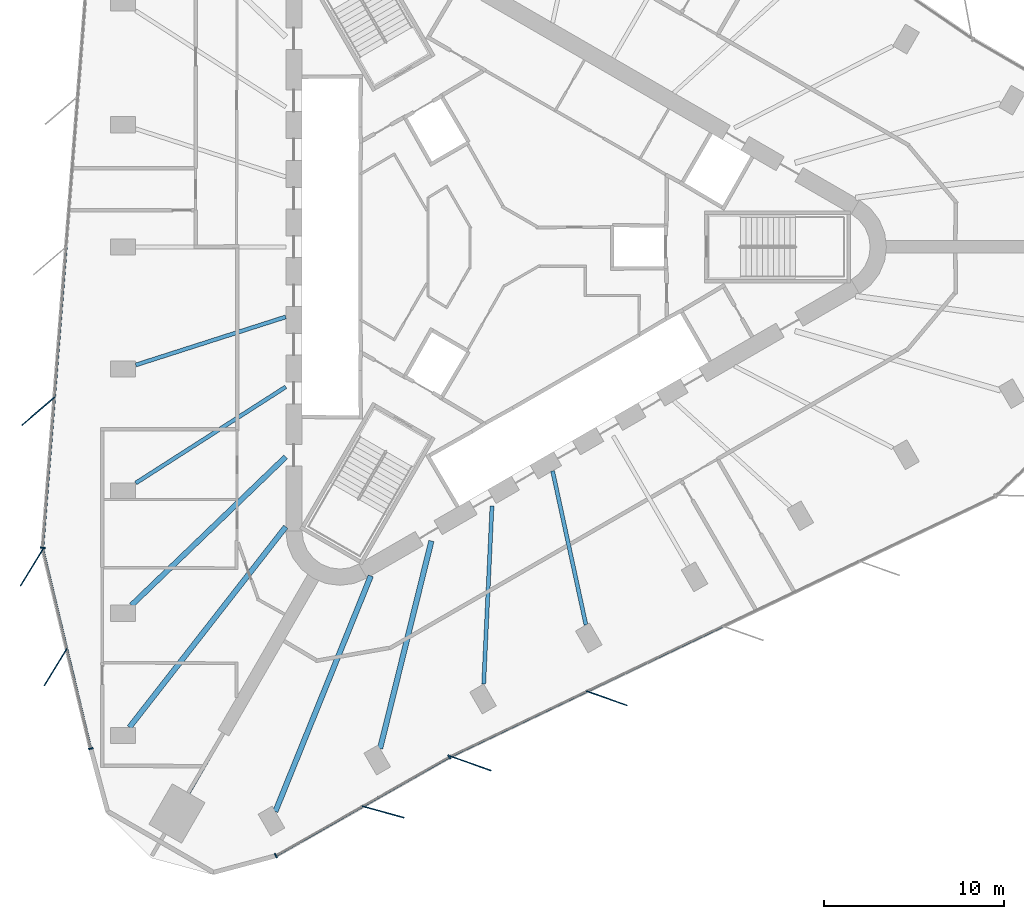
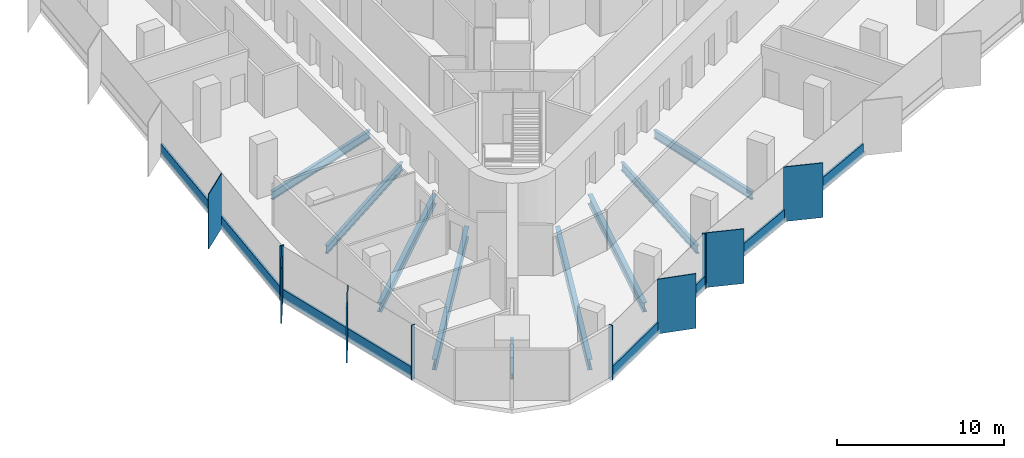
# One storey, part 2 of 13: 18 members, 9 beams, 4 elements without a shape of their own.
"""IFC4 building model written with IfcOpenShell, lengths in metres."""

from ifc_helpers import new_model, si_unit, direction, frame, origin, origin_2d, place, context, subcontext, project, spatial, rectangle, i_section, extrude, material, material_profile, profile_set, type_object, element, aggregate, save


model = new_model("IFC4")

# Units and contexts
model_context = context("Model", 3, precision=1e-05, world=origin(), true_north=direction((0.0, 1.0)))
body_context = subcontext(model_context, "Body", "Model", "MODEL_VIEW")
ifc_project = project(units=[si_unit("LENGTHUNIT", "METRE"), si_unit("AREAUNIT", "SQUARE_METRE"), si_unit("VOLUMEUNIT", "CUBIC_METRE"), si_unit("PLANEANGLEUNIT", "RADIAN"), si_unit("MASSUNIT", "GRAM", prefix="KILO")], contexts=[model_context])

# Site, building, storey
site_placement = place(None, origin())
site = spatial("IfcSite", under=ifc_project, at=site_placement, CompositionType="ELEMENT")
building_placement = place(site_placement, origin())
building = spatial("IfcBuilding", under=site, at=building_placement, Name="Tanit Gate Tower", CompositionType="ELEMENT")
storey_placement = place(building_placement, frame((0.0, 0.0, 269.199951171875)))
storey = spatial("IfcBuildingStorey", under=building, at=storey_placement, Name="L61", CompositionType="ELEMENT", Elevation=269.199951171875)

# Curtain wall, member
ifc_material_1 = material(Name="Aluminium bronze anodised and glass", Category="aluminium")
curtain_wall_type = type_object("IfcCurtainWallType", Name="Curtain wall typical mid", PredefinedType="NOTDEFINED", material=ifc_material_1)
curtain_wall_1_placement = place(storey_placement, origin())
curtain_wall_1 = element("IfcCurtainWall", 1, at=curtain_wall_1_placement, inside=storey, type_object=curtain_wall_type, Name="Curtain wall L61 W2", PredefinedType="NOTDEFINED")
ifc_material_2 = material(Name="Aluminium bronze anodised", Category="aluminium")
ifc_material_profile_1 = material_profile(ifc_material_2, rectangle(XDim=2.39990234375, YDim=0.055908203125, at=origin_2d()), Name="56x2400 bronze fin mullion")
ifc_profile_set_1 = profile_set([ifc_material_profile_1], Name="Aluminium bronze anodised")
member_type_1 = type_object("IfcMemberType", Name="FIN MULLION 56x2400 bronze", PredefinedType="MULLION", material=ifc_profile_set_1)
member_1_placement = place(storey_placement, frame((-25.82177734375, -9.10546875, -0.300048828125), z_axis=(0.0, 0.0, 1.0), x_axis=(0.75991198916, 0.650025975428, 0.0)))
member_1 = element("IfcMember", 2, at=member_1_placement, type_object=member_type_1, Name="Fin mullion L61 W2.4", PredefinedType="MULLION", context=body_context, shape_type="SweptSolid", body=[
    extrude(rectangle(XDim=2.39990234375, YDim=0.055908203125, at=origin_2d()), origin(), (0.0, 0.0, 1.0), 4.0),
])

# Curtain wall, members
curtain_wall_2_placement = place(storey_placement, origin())
curtain_wall_2 = element("IfcCurtainWall", 3, at=curtain_wall_2_placement, inside=storey, type_object=curtain_wall_type, Name="Curtain wall L61 W3", PredefinedType="NOTDEFINED")
member_2_placement = place(storey_placement, frame((-26.185791015625, -17.764892578125, -0.300048828125), z_axis=(0.0, 0.0, 1.0), x_axis=(0.522413666557, 0.852692184199, 0.0)))
member_2 = element("IfcMember", 4, at=member_2_placement, type_object=member_type_1, Name="Fin mullion L61 W3.1", PredefinedType="MULLION", context=body_context, shape_type="SweptSolid", body=[
    extrude(rectangle(XDim=2.39990234375, YDim=0.055908203125, at=origin_2d()), origin(), (0.0, 0.0, 1.0), 4.0),
])
member_3_placement = place(storey_placement, frame((-24.85791015625, -23.292724609375, -0.300048828125), z_axis=(0.0, 0.0, 1.0), x_axis=(0.522413666557, 0.852692184199, 0.0)))
member_3 = element("IfcMember", 5, at=member_3_placement, type_object=member_type_1, Name="Fin mullion L61 W3.2", PredefinedType="MULLION", context=body_context, shape_type="SweptSolid", body=[
    extrude(rectangle(XDim=2.39990234375, YDim=0.055908203125, at=origin_2d()), origin(), (0.0, 0.0, 1.0), 4.0),
])

# Curtain wall, member
curtain_wall_3_placement = place(storey_placement, origin())
curtain_wall_3 = element("IfcCurtainWall", 6, at=curtain_wall_3_placement, inside=storey, type_object=curtain_wall_type, Name="Curtain wall L61 SE1", PredefinedType="NOTDEFINED")
member_4_placement = place(storey_placement, frame((-6.7041015625, -31.32470703125, -0.300048828125), z_axis=(0.0, 0.0, 1.0), x_axis=(-0.964256591689, 0.264970234904, 0.0)))
member_4 = element("IfcMember", 7, at=member_4_placement, type_object=member_type_1, Name="Fin mullion L61 SE1.2", PredefinedType="MULLION", context=body_context, shape_type="SweptSolid", body=[
    extrude(rectangle(XDim=2.39990234375, YDim=0.055908203125, at=origin_2d()), origin(), (0.0, 0.0, 1.0), 4.0),
])

# Curtain wall, members
curtain_wall_4_placement = place(storey_placement, origin())
curtain_wall_4 = element("IfcCurtainWall", 8, at=curtain_wall_4_placement, inside=storey, type_object=curtain_wall_type, Name="Curtain wall L61 SE2", PredefinedType="NOTDEFINED")
member_5_placement = place(storey_placement, frame((-1.8505859375, -28.6328125, -0.300048828125), z_axis=(0.0, 0.0, 1.0), x_axis=(-0.94289500242, 0.333090099539, 0.0)))
member_5 = element("IfcMember", 9, at=member_5_placement, type_object=member_type_1, Name="Fin mullion L61 SE2.1", PredefinedType="MULLION", context=body_context, shape_type="SweptSolid", body=[
    extrude(rectangle(XDim=2.39990234375, YDim=0.055908203125, at=origin_2d()), origin(), (0.0, 0.0, 1.0), 4.0),
])
member_6_placement = place(storey_placement, frame((5.698486328125, -25.025146484375, -0.300048828125), z_axis=(0.0, 0.0, 1.0), x_axis=(-0.94289500242, 0.333090099539, 0.0)))
member_6 = element("IfcMember", 10, at=member_6_placement, type_object=member_type_1, Name="Fin mullion L61 SE2.2", PredefinedType="MULLION", context=body_context, shape_type="SweptSolid", body=[
    extrude(rectangle(XDim=2.39990234375, YDim=0.055908203125, at=origin_2d()), origin(), (0.0, 0.0, 1.0), 4.0),
])

# Member
ifc_material_3 = material(Name="Aluminium bronze anodised", Category="aluminium")
ifc_material_profile_2 = material_profile(ifc_material_3, rectangle(XDim=0.260009765625, YDim=0.080078125, at=origin_2d()), Name="80x260 bronze mullion")
ifc_profile_set_2 = profile_set([ifc_material_profile_2], Name="Aluminium bronze anodised")
member_type_2 = type_object("IfcMemberType", Name="Mullion 80x260 typical mid", PredefinedType="MULLION", material=ifc_profile_set_2)
member_7_placement = place(storey_placement, frame((-25.576171875, -16.680908203125, -0.300048828125), z_axis=(0.0, 0.0, 1.0), x_axis=(0.996976695812, -0.077701145467, 0.0)))
member_7 = element("IfcMember", 11, at=member_7_placement, type_object=member_type_2, Name="Mullion L61 W2.5", PredefinedType="MULLION", context=body_context, shape_type="SweptSolid", body=[
    extrude(rectangle(XDim=0.260009765625, YDim=0.080078125, at=origin_2d()), origin(), (0.0, 0.0, 1.0), 4.0),
])

member_8_placement = place(storey_placement, frame((-22.91455078125, -27.8154296875, -0.300048828125), z_axis=(0.0, 0.0, 1.0), x_axis=(0.972346671919, 0.233542179505, 0.0)))
member_8 = element("IfcMember", 12, at=member_8_placement, type_object=member_type_2, Name="Mullion L61 W3.3", PredefinedType="MULLION", context=body_context, shape_type="SweptSolid", body=[
    extrude(rectangle(XDim=0.260009765625, YDim=0.080078125, at=origin_2d()), origin(), (0.0, 0.0, 1.0), 4.0),
])

member_9_placement = place(storey_placement, frame((-12.648681640625, -33.747314453125, -0.300048828125), z_axis=(0.0, 0.0, 1.0), x_axis=(-0.494470124873, 0.8691946247, 0.0)))
member_9 = element("IfcMember", 13, at=member_9_placement, type_object=member_type_2, Name="Mullion L61 SE1.1", PredefinedType="MULLION", context=body_context, shape_type="SweptSolid", body=[
    extrude(rectangle(XDim=0.260009765625, YDim=0.080078125, at=origin_2d()), origin(), (0.0, 0.0, 1.0), 4.0),
])

member_10_placement = place(storey_placement, frame((-3.032958984375, -28.27734375, -0.300048828125), z_axis=(0.0, 0.0, 1.0), x_axis=(-0.494470124873, 0.8691946247, 0.0)))
member_10 = element("IfcMember", 14, at=member_10_placement, type_object=member_type_2, Name="Mullion L61 SE1.3", PredefinedType="MULLION", context=body_context, shape_type="SweptSolid", body=[
    extrude(rectangle(XDim=0.260009765625, YDim=0.080078125, at=origin_2d()), origin(), (0.0, 0.0, 1.0), 4.0),
])

# Beams
ifc_material_4 = material(Name="Steel S355", Category="steel")
ifc_material_profile_3 = material_profile(ifc_material_4, i_section(OverallWidth=0.300048828125, OverallDepth=0.68994140625, WebThickness=0.014404296875, FlangeThickness=0.027099609375, FilletRadius=0.027099609375, at=origin_2d()), Name="HEA 700")
ifc_profile_set_3 = profile_set([ifc_material_profile_3], Name="Steel S355")
beam_type_1 = type_object("IfcBeamType", Name="RADIAL GIRDER HEA 700 S355", PredefinedType="BEAM", material=ifc_profile_set_3)
beam_1_placement = place(storey_placement, frame((-20.653564453125, -19.86279296875, -0.64501953125), z_axis=(0.720779680612, 0.693164231634, 0.0), x_axis=(-0.693164231634, 0.720779680612, 0.0)))
element("IfcBeam", 15, at=beam_1_placement, inside=storey, type_object=beam_type_1, Name="RADIAL GIRDER", PredefinedType="BEAM", context=body_context, shape_type="SweptSolid", body=[
    extrude(i_section(OverallWidth=0.300048828125, OverallDepth=0.68994140625, WebThickness=0.014404296875, FlangeThickness=0.027099609375, FilletRadius=0.027099609375, at=origin_2d()), origin(), (0.0, 0.0, 1.0), 11.8642578125),
])
beam_2_placement = place(storey_placement, frame((-6.875, -27.818115234375, -0.64501953125), z_axis=(0.239929921854, 0.970790210395, 0.0), x_axis=(-0.970790210395, 0.239929921854, 0.0)))
element("IfcBeam", 16, at=beam_2_placement, inside=storey, type_object=beam_type_1, Name="RADIAL GIRDER", PredefinedType="BEAM", context=body_context, shape_type="SweptSolid", body=[
    extrude(i_section(OverallWidth=0.300048828125, OverallDepth=0.68994140625, WebThickness=0.014404296875, FlangeThickness=0.027099609375, FilletRadius=0.027099609375, at=origin_2d()), origin(), (0.0, 0.0, 1.0), 11.86474609375),
])
ifc_material_5 = material(Name="Steel S355", Category="steel")
ifc_material_profile_4 = material_profile(ifc_material_5, i_section(OverallWidth=0.300048828125, OverallDepth=0.7900390625, WebThickness=0.014892578125, FlangeThickness=0.028076171875, FilletRadius=0.030029296875, at=origin_2d()), Name="HEA 800")
ifc_profile_set_4 = profile_set([ifc_material_profile_4], Name="Steel S355")
beam_type_2 = type_object("IfcBeamType", Name="RADIAL GIRDER HEA 800 S355", PredefinedType="BEAM", material=ifc_profile_set_4)
beam_3_placement = place(storey_placement, frame((-20.7705078125, -26.6337890625, -0.695068359375), z_axis=(0.614960509334, 0.788557906536, 0.0), x_axis=(-0.788557906536, 0.614960509334, 0.0)))
element("IfcBeam", 17, at=beam_3_placement, inside=storey, type_object=beam_type_2, Name="RADIAL GIRDER", PredefinedType="BEAM", context=body_context, shape_type="SweptSolid", body=[
    extrude(i_section(OverallWidth=0.300048828125, OverallDepth=0.7900390625, WebThickness=0.014892578125, FlangeThickness=0.028076171875, FilletRadius=0.030029296875, at=origin_2d()), origin(), (0.0, 0.0, 1.0), 14.095947265625),
])
beam_4_placement = place(storey_placement, frame((-12.680419921875, -31.3046875, -0.695068359375), z_axis=(0.375439354179, 0.926846962197, 0.0), x_axis=(-0.926846962197, 0.375439354179, 0.0)))
element("IfcBeam", 18, at=beam_4_placement, inside=storey, type_object=beam_type_2, Name="RADIAL GIRDER", PredefinedType="BEAM", context=body_context, shape_type="SweptSolid", body=[
    extrude(i_section(OverallWidth=0.300048828125, OverallDepth=0.7900390625, WebThickness=0.014892578125, FlangeThickness=0.028076171875, FilletRadius=0.030029296875, at=origin_2d()), origin(), (0.0, 0.0, 1.0), 14.09619140625),
])
ifc_material_6 = material(Name="Steel S355", Category="steel")
ifc_material_profile_5 = material_profile(ifc_material_6, i_section(OverallWidth=0.179931640625, OverallDepth=0.39990234375, WebThickness=0.008544921875, FlangeThickness=0.013427734375, FilletRadius=0.02099609375, at=origin_2d()), Name="IPE 400")
ifc_profile_set_5 = profile_set([ifc_material_profile_5], Name="Steel S355")
beam_type_3 = type_object("IfcBeamType", Name="RADIAL GIRDER IPE 400 S355", PredefinedType="BEAM", material=ifc_profile_set_5)
beam_5_placement = place(storey_placement, frame((-17.485107421875, -30.28515625, -0.5), z_axis=(0.499980071345, 0.866036909293, 0.0), x_axis=(-0.866036909293, 0.499980071345, 0.0)))
element("IfcBeam", 19, at=beam_5_placement, inside=storey, type_object=beam_type_3, Name="RADIAL GIRDER", PredefinedType="BEAM", context=body_context, shape_type="SweptSolid", body=[
    extrude(i_section(OverallWidth=0.179931640625, OverallDepth=0.39990234375, WebThickness=0.008544921875, FlangeThickness=0.013427734375, FilletRadius=0.02099609375, at=origin_2d()), origin(), (0.0, 0.0, 1.0), 3.855712890625),
])
ifc_material_7 = material(Name="Steel S355", Category="steel")
ifc_material_profile_6 = material_profile(ifc_material_7, i_section(OverallWidth=0.219970703125, OverallDepth=0.60009765625, WebThickness=0.011962890625, FlangeThickness=0.01904296875, FilletRadius=0.02392578125, at=origin_2d()), Name="IPE 600")
ifc_profile_set_6 = profile_set([ifc_material_profile_6], Name="Steel S355")
beam_type_4 = type_object("IfcBeamType", Name="RADIAL GIRDER IPE 600 S355", PredefinedType="BEAM", material=ifc_profile_set_6)
beam_6_placement = place(storey_placement, frame((-20.42138671875, -6.546630859375, -0.599853515625), z_axis=(0.952264375412, 0.305274563828, 0.0), x_axis=(-0.305274563828, 0.952264375412, 0.0)))
element("IfcBeam", 20, at=beam_6_placement, inside=storey, type_object=beam_type_4, Name="RADIAL GIRDER", PredefinedType="BEAM", context=body_context, shape_type="SweptSolid", body=[
    extrude(i_section(OverallWidth=0.219970703125, OverallDepth=0.60009765625, WebThickness=0.011962890625, FlangeThickness=0.01904296875, FilletRadius=0.02392578125, at=origin_2d()), origin(), (0.0, 0.0, 1.0), 8.736328125),
])
beam_7_placement = place(storey_placement, frame((-20.42138671875, -13.09326171875, -0.599853515625), z_axis=(0.841829634381, 0.539743334075, 0.0), x_axis=(-0.539743334075, 0.841829634381, 0.0)))
element("IfcBeam", 21, at=beam_7_placement, inside=storey, type_object=beam_type_4, Name="RADIAL GIRDER", PredefinedType="BEAM", context=body_context, shape_type="SweptSolid", body=[
    extrude(i_section(OverallWidth=0.219970703125, OverallDepth=0.60009765625, WebThickness=0.011962890625, FlangeThickness=0.01904296875, FilletRadius=0.02392578125, at=origin_2d()), origin(), (0.0, 0.0, 1.0), 9.88232421875),
])
beam_8_placement = place(storey_placement, frame((-1.12841796875, -24.232177734375, -0.599853515625), z_axis=(0.046517005863, 0.998917498178, 0.0), x_axis=(-0.998917498178, 0.046517005863, 0.0)))
element("IfcBeam", 22, at=beam_8_placement, inside=storey, type_object=beam_type_4, Name="RADIAL GIRDER", PredefinedType="BEAM", context=body_context, shape_type="SweptSolid", body=[
    extrude(i_section(OverallWidth=0.219970703125, OverallDepth=0.60009765625, WebThickness=0.011962890625, FlangeThickness=0.01904296875, FilletRadius=0.02392578125, at=origin_2d()), origin(), (0.0, 0.0, 1.0), 9.8828125),
])
beam_9_placement = place(storey_placement, frame((4.541259765625, -20.958740234375, -0.599853515625), z_axis=(-0.211767137826, 0.977320151914, 0.0), x_axis=(-0.977320151914, -0.211767137826, 0.0)))
element("IfcBeam", 23, at=beam_9_placement, inside=storey, type_object=beam_type_4, Name="RADIAL GIRDER", PredefinedType="BEAM", context=body_context, shape_type="SweptSolid", body=[
    extrude(i_section(OverallWidth=0.219970703125, OverallDepth=0.60009765625, WebThickness=0.011962890625, FlangeThickness=0.01904296875, FilletRadius=0.02392578125, at=origin_2d()), origin(), (0.0, 0.0, 1.0), 8.736572265625),
])

# Member
ifc_material_8 = material(Name="Aluminium bronze anodised", Category="aluminium")
ifc_material_profile_7 = material_profile(ifc_material_8, rectangle(XDim=0.139892578125, YDim=0.89990234375, at=origin_2d()), Name="140x900 bronze transom")
ifc_profile_set_7 = profile_set([ifc_material_profile_7], Name="Aluminium bronze anodised")
member_type_3 = type_object("IfcMemberType", Name="Transom 140x900 typical mid", PredefinedType="USERDEFINED", material=ifc_profile_set_7)
member_11_placement = place(storey_placement, frame((-24.279052734375, -0.03759765625, 0.150146484375), z_axis=(-0.07769000697, -0.996977563848, 0.0), x_axis=(0.996977563848, -0.07769000697, 0.0)))
member_11 = element("IfcMember", 24, at=member_11_placement, type_object=member_type_3, Name="Transom L61 W2.3", ObjectType="TRANSOM", PredefinedType="USERDEFINED", context=body_context, shape_type="SweptSolid", body=[
    extrude(rectangle(XDim=0.139892578125, YDim=0.89990234375, at=origin_2d()), origin(), (0.0, 0.0, 1.0), 8.286865234375),
])

member_12_placement = place(storey_placement, frame((-24.92919921875, -8.379150390625, 0.150146484375), z_axis=(-0.07768772509, -0.996977741662, 0.0), x_axis=(0.996977741662, -0.07768772509, 0.0)))
member_12 = element("IfcMember", 25, at=member_12_placement, type_object=member_type_3, Name="Transom L61 W2.4", ObjectType="TRANSOM", PredefinedType="USERDEFINED", context=body_context, shape_type="SweptSolid", body=[
    extrude(rectangle(XDim=0.139892578125, YDim=0.89990234375, at=origin_2d()), origin(), (0.0, 0.0, 1.0), 8.287109375),
])

aggregate(curtain_wall_1, [member_1, member_7, member_11, member_12])

member_13_placement = place(storey_placement, frame((-25.560546875, -16.798583984375, 0.150146484375), z_axis=(0.233547568299, -0.972345377601, 0.0), x_axis=(0.972345377601, 0.233547568299, 0.0)))
member_13 = element("IfcMember", 26, at=member_13_placement, type_object=member_type_3, Name="Transom L61 W3.1", ObjectType="TRANSOM", PredefinedType="USERDEFINED", context=body_context, shape_type="SweptSolid", body=[
    extrude(rectangle(XDim=0.139892578125, YDim=0.89990234375, at=origin_2d()), origin(), (0.0, 0.0, 1.0), 5.605224609375),
])

member_14_placement = place(storey_placement, frame((-24.23291015625, -22.326416015625, 0.150146484375), z_axis=(0.233547568299, -0.972345377601, 0.0), x_axis=(0.972345377601, 0.233547568299, 0.0)))
member_14 = element("IfcMember", 27, at=member_14_placement, type_object=member_type_3, Name="Transom L61 W3.2", ObjectType="TRANSOM", PredefinedType="USERDEFINED", context=body_context, shape_type="SweptSolid", body=[
    extrude(rectangle(XDim=0.139892578125, YDim=0.89990234375, at=origin_2d()), origin(), (0.0, 0.0, 1.0), 5.605224609375),
])

aggregate(curtain_wall_2, [member_2, member_3, member_8, member_13, member_14])

member_15_placement = place(storey_placement, frame((-12.61376953125, -33.7275390625, 0.150146484375), z_axis=(0.869200671839, 0.494459494878, 0.0), x_axis=(-0.494459494878, 0.869200671839, 0.0)))
member_15 = element("IfcMember", 28, at=member_15_placement, type_object=member_type_3, Name="Transom L61 SE1.1", ObjectType="TRANSOM", PredefinedType="USERDEFINED", context=body_context, shape_type="SweptSolid", body=[
    extrude(rectangle(XDim=0.139892578125, YDim=0.89990234375, at=origin_2d()), origin(), (0.0, 0.0, 1.0), 5.450927734375),
])

member_16_placement = place(storey_placement, frame((-7.80615234375, -30.992431640625, 0.150146484375), z_axis=(0.869211621425, 0.494440246318, 0.0), x_axis=(-0.494440246318, 0.869211621425, 0.0)))
member_16 = element("IfcMember", 29, at=member_16_placement, type_object=member_type_3, Name="Transom L61 SE1.2", ObjectType="TRANSOM", PredefinedType="USERDEFINED", context=body_context, shape_type="SweptSolid", body=[
    extrude(rectangle(XDim=0.139892578125, YDim=0.89990234375, at=origin_2d()), origin(), (0.0, 0.0, 1.0), 5.451171875),
])

aggregate(curtain_wall_3, [member_9, member_4, member_10, member_15, member_16])

member_17_placement = place(storey_placement, frame((-2.926025390625, -28.222900390625, 0.150146484375), z_axis=(0.902257333807, 0.431197986534, 0.0), x_axis=(-0.431197986534, 0.902257333807, 0.0)))
member_17 = element("IfcMember", 30, at=member_17_placement, type_object=member_type_3, Name="Transom L61 SE2.1", ObjectType="TRANSOM", PredefinedType="USERDEFINED", context=body_context, shape_type="SweptSolid", body=[
    extrude(rectangle(XDim=0.139892578125, YDim=0.89990234375, at=origin_2d()), origin(), (0.0, 0.0, 1.0), 8.286865234375),
])

member_18_placement = place(storey_placement, frame((4.623046875, -24.615234375, 0.150146484375), z_axis=(0.902257333807, 0.431197986534, 0.0), x_axis=(-0.431197986534, 0.902257333807, 0.0)))
member_18 = element("IfcMember", 31, at=member_18_placement, type_object=member_type_3, Name="Transom L61 SE2.2", ObjectType="TRANSOM", PredefinedType="USERDEFINED", context=body_context, shape_type="SweptSolid", body=[
    extrude(rectangle(XDim=0.139892578125, YDim=0.89990234375, at=origin_2d()), origin(), (0.0, 0.0, 1.0), 8.286865234375),
])

aggregate(curtain_wall_4, [member_5, member_6, member_17, member_18])

save(model, "model.ifc")
